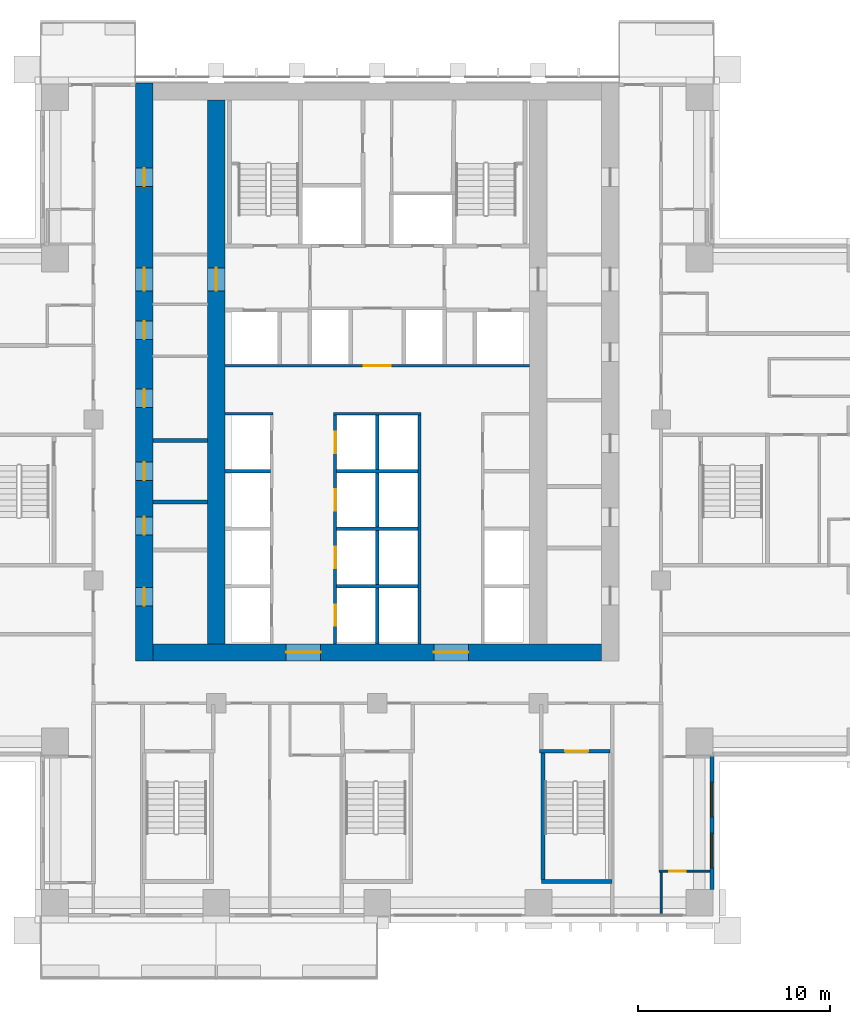
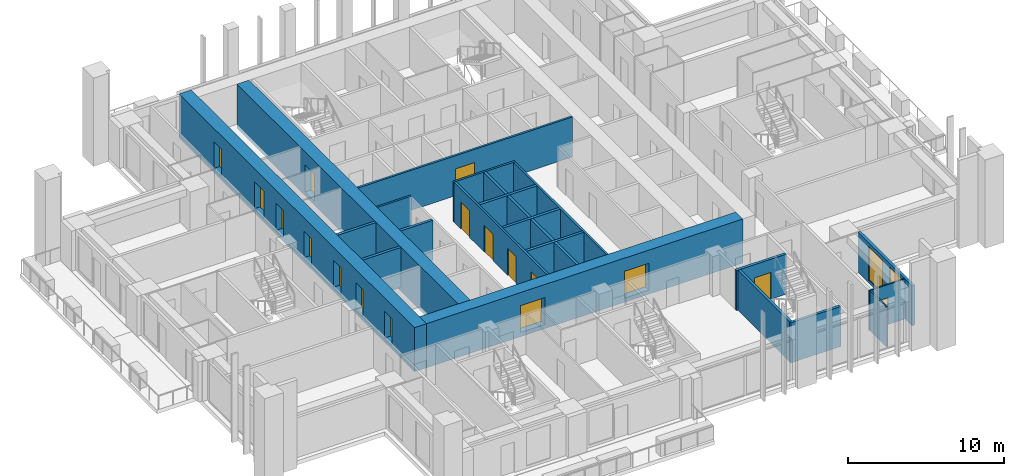
# One storey, part 8 of 18: 21 walls, 17 doors, 2 windows, 19 openings.
"""IFC4 building model written with IfcOpenShell, lengths in metres."""

from ifc_helpers import new_model, si_unit, direction, frame, frame_2d, origin, place, context, subcontext, project, spatial, rectangle, extrude, material, layer, layer_set, type_object, element, fill, save


model = new_model("IFC4")

# Units and contexts
model_context = context("Model", 3, precision=1e-05, world=origin(), true_north=direction((0.0, 1.0)))
body_context = subcontext(model_context, "Body", "Model", "MODEL_VIEW")
ifc_project = project(units=[si_unit("LENGTHUNIT", "METRE"), si_unit("AREAUNIT", "SQUARE_METRE"), si_unit("VOLUMEUNIT", "CUBIC_METRE"), si_unit("PLANEANGLEUNIT", "RADIAN"), si_unit("MASSUNIT", "GRAM", prefix="KILO")], contexts=[model_context])

# Site, building, storey
site_placement = place(None, origin())
site = spatial("IfcSite", under=ifc_project, at=site_placement, CompositionType="ELEMENT")
building_placement = place(site_placement, origin())
building = spatial("IfcBuilding", under=site, at=building_placement, Name="Vermilion Ogive Tower", CompositionType="ELEMENT")
storey_placement = place(building_placement, frame((0.0, 0.0, 55.199951171875)))
storey = spatial("IfcBuildingStorey", under=building, at=storey_placement, Name="L12", CompositionType="ELEMENT", Elevation=55.199951171875)

# Wall, openings, doors
ifc_material_1 = material(Name="Concrete B80", Category="concrete")
ifc_layer_1 = layer(ifc_material_1, 0.89990234375)
ifc_layer_set_1 = layer_set([ifc_layer_1], Name="Core wall 900 B80")
wall_type_1 = type_object("IfcWallType", Name="Core wall 900 B80", PredefinedType="SHEAR", material=ifc_layer_set_1)
wall_1_placement = place(storey_placement, frame((-12.14990234375, -8.39990234375, -0.320068359375), z_axis=(0.0, 0.0, 1.0), x_axis=(0.0, 1.0, 0.0)))
wall_1 = element("IfcWall", 1, at=wall_1_placement, inside=storey, type_object=wall_type_1, Name="L12-CORE-W", PredefinedType="SHEAR", context=body_context, shape_type="SweptSolid", body=[
    extrude(rectangle(XDim=30.14990234375, YDim=0.89990234375, at=frame_2d((15.074951171875, 0.0))), origin(), (0.0, 0.0, 1.0), 3.4501953125),
])
opening_1_placement = place(wall_1_placement, frame((2.875, 0.0, 0.320068359375)))
opening_1 = element("IfcOpeningElement", 2, at=opening_1_placement, cuts=wall_1, Name="Opening DAD017", PredefinedType="OPENING", context=body_context, shape_type="SweptSolid", body=[
    extrude(rectangle(XDim=0.949951171875, YDim=2.10009765625, at=frame_2d((0.47509765625, 1.050048828125))), frame((0.0, 0.4599609375, 0.0), z_axis=(0.0, -1.0, 0.0), x_axis=(1.0, 0.0, 0.0)), (0.0, 0.0, 1.0), 0.919921875),
])
opening_2_placement = place(wall_1_placement, frame((6.574951171875, 0.0, 0.320068359375)))
opening_2 = element("IfcOpeningElement", 3, at=opening_2_placement, cuts=wall_1, Name="Opening DAD018", PredefinedType="OPENING", context=body_context, shape_type="SweptSolid", body=[
    extrude(rectangle(XDim=0.949951171875, YDim=2.10009765625, at=frame_2d((0.47509765625, 1.050048828125))), frame((0.0, 0.4599609375, 0.0), z_axis=(0.0, -1.0, 0.0), x_axis=(1.0, 0.0, 0.0)), (0.0, 0.0, 1.0), 0.919921875),
])
opening_3_placement = place(wall_1_placement, frame((9.425048828125, 0.0, 0.320068359375)))
opening_3 = element("IfcOpeningElement", 4, at=opening_3_placement, cuts=wall_1, Name="Opening DAD019", PredefinedType="OPENING", context=body_context, shape_type="SweptSolid", body=[
    extrude(rectangle(XDim=0.949951171875, YDim=2.10009765625, at=frame_2d((0.47509765625, 1.050048828125))), frame((0.0, 0.4599609375, 0.0), z_axis=(0.0, -1.0, 0.0), x_axis=(1.0, 0.0, 0.0)), (0.0, 0.0, 1.0), 0.919921875),
])
opening_4_placement = place(wall_1_placement, frame((13.22509765625, 0.0, 0.320068359375)))
opening_4 = element("IfcOpeningElement", 5, at=opening_4_placement, cuts=wall_1, Name="Opening DAD020", PredefinedType="OPENING", context=body_context, shape_type="SweptSolid", body=[
    extrude(rectangle(XDim=0.949951171875, YDim=2.10009765625, at=frame_2d((0.47509765625, 1.050048828125))), frame((0.0, 0.4599609375, 0.0), z_axis=(0.0, -1.0, 0.0), x_axis=(1.0, 0.0, 0.0)), (0.0, 0.0, 1.0), 0.919921875),
])
opening_5_placement = place(wall_1_placement, frame((16.77490234375, 0.0, 0.320068359375)))
opening_5 = element("IfcOpeningElement", 6, at=opening_5_placement, cuts=wall_1, Name="Opening DAD021", PredefinedType="OPENING", context=body_context, shape_type="SweptSolid", body=[
    extrude(rectangle(XDim=0.949951171875, YDim=2.10009765625, at=frame_2d((0.47509765625, 1.050048828125))), frame((0.0, 0.4599609375, 0.0), z_axis=(0.0, -1.0, 0.0), x_axis=(1.0, 0.0, 0.0)), (0.0, 0.0, 1.0), 0.919921875),
])
opening_6_placement = place(wall_1_placement, frame((24.75, 0.0, 0.320068359375)))
opening_6 = element("IfcOpeningElement", 7, at=opening_6_placement, cuts=wall_1, Name="Opening DAD022", PredefinedType="OPENING", context=body_context, shape_type="SweptSolid", body=[
    extrude(rectangle(XDim=0.949951171875, YDim=2.10009765625, at=frame_2d((0.47509765625, 1.050048828125))), frame((0.0, 0.4599609375, 0.0), z_axis=(0.0, -1.0, 0.0), x_axis=(1.0, 0.0, 0.0)), (0.0, 0.0, 1.0), 0.919921875),
])
opening_7_placement = place(wall_1_placement, frame((19.300048828125, 0.0, 0.320068359375)))
opening_7 = element("IfcOpeningElement", 8, at=opening_7_placement, cuts=wall_1, Name="Opening DAM004", PredefinedType="OPENING", context=body_context, shape_type="SweptSolid", body=[
    extrude(rectangle(XDim=1.199951171875, YDim=2.10009765625, at=frame_2d((0.60009765625, 1.050048828125))), frame((0.0, 0.4599609375, 0.0), z_axis=(0.0, -1.0, 0.0), x_axis=(1.0, 0.0, 0.0)), (0.0, 0.0, 1.0), 0.919921875),
])
ifc_material_2 = material(Name="Timber door leaf", Category="wood")
door_type_1 = type_object("IfcDoorType", Name="Link door 1200 x 2100 FD60S", OperationType="SINGLE_SWING_LEFT", PredefinedType="DOOR", material=ifc_material_2)
door_1_placement = place(opening_7_placement, origin())
door_1 = element("IfcDoor", 9, at=door_1_placement, inside=storey, type_object=door_type_1, Name="L12-CKW-XL", OperationType="SINGLE_SWING_LEFT", OverallHeight=2.10009765625, OverallWidth=1.199951171875, PredefinedType="DOOR", context=body_context, shape_type="SweptSolid", body=[
    extrude(rectangle(XDim=1.199951171875, YDim=2.10009765625, at=frame_2d((0.60009765625, 1.050048828125))), frame((0.0, 0.02490234375, 0.0), z_axis=(0.0, -1.0, 0.0), x_axis=(1.0, 0.0, 0.0)), (0.0, 0.0, 1.0), 0.050048828125),
])
fill(opening_7, door_1)
ifc_material_3 = material(Name="Timber door leaf", Category="wood")
door_type_2 = type_object("IfcDoorType", Name="Service door 950 x 2100 FD60", OperationType="SINGLE_SWING_LEFT", PredefinedType="DOOR", material=ifc_material_3)
door_2_placement = place(opening_1_placement, origin())
door_2 = element("IfcDoor", 10, at=door_2_placement, inside=storey, type_object=door_type_2, Name="L12-CKW-XR0", OperationType="SINGLE_SWING_LEFT", OverallHeight=2.10009765625, OverallWidth=0.949951171875, PredefinedType="DOOR", context=body_context, shape_type="SweptSolid", body=[
    extrude(rectangle(XDim=0.949951171875, YDim=2.10009765625, at=frame_2d((0.47509765625, 1.050048828125))), frame((0.0, 0.02490234375, 0.0), z_axis=(0.0, -1.0, 0.0), x_axis=(1.0, 0.0, 0.0)), (0.0, 0.0, 1.0), 0.050048828125),
])
fill(opening_1, door_2)
door_3_placement = place(opening_2_placement, origin())
door_3 = element("IfcDoor", 11, at=door_3_placement, inside=storey, type_object=door_type_2, Name="L12-CKW-XR1", OperationType="SINGLE_SWING_LEFT", OverallHeight=2.10009765625, OverallWidth=0.949951171875, PredefinedType="DOOR", context=body_context, shape_type="SweptSolid", body=[
    extrude(rectangle(XDim=0.949951171875, YDim=2.10009765625, at=frame_2d((0.47509765625, 1.050048828125))), frame((0.0, 0.02490234375, 0.0), z_axis=(0.0, -1.0, 0.0), x_axis=(1.0, 0.0, 0.0)), (0.0, 0.0, 1.0), 0.050048828125),
])
fill(opening_2, door_3)
door_4_placement = place(opening_3_placement, origin())
door_4 = element("IfcDoor", 12, at=door_4_placement, inside=storey, type_object=door_type_2, Name="L12-CKW-XR2", OperationType="SINGLE_SWING_LEFT", OverallHeight=2.10009765625, OverallWidth=0.949951171875, PredefinedType="DOOR", context=body_context, shape_type="SweptSolid", body=[
    extrude(rectangle(XDim=0.949951171875, YDim=2.10009765625, at=frame_2d((0.47509765625, 1.050048828125))), frame((0.0, 0.02490234375, 0.0), z_axis=(0.0, -1.0, 0.0), x_axis=(1.0, 0.0, 0.0)), (0.0, 0.0, 1.0), 0.050048828125),
])
fill(opening_3, door_4)
door_5_placement = place(opening_4_placement, origin())
door_5 = element("IfcDoor", 13, at=door_5_placement, inside=storey, type_object=door_type_2, Name="L12-CKW-XR3", OperationType="SINGLE_SWING_LEFT", OverallHeight=2.10009765625, OverallWidth=0.949951171875, PredefinedType="DOOR", context=body_context, shape_type="SweptSolid", body=[
    extrude(rectangle(XDim=0.949951171875, YDim=2.10009765625, at=frame_2d((0.47509765625, 1.050048828125))), frame((0.0, 0.02490234375, 0.0), z_axis=(0.0, -1.0, 0.0), x_axis=(1.0, 0.0, 0.0)), (0.0, 0.0, 1.0), 0.050048828125),
])
fill(opening_4, door_5)
door_6_placement = place(opening_5_placement, origin())
door_6 = element("IfcDoor", 14, at=door_6_placement, inside=storey, type_object=door_type_2, Name="L12-CKW-XR4", OperationType="SINGLE_SWING_LEFT", OverallHeight=2.10009765625, OverallWidth=0.949951171875, PredefinedType="DOOR", context=body_context, shape_type="SweptSolid", body=[
    extrude(rectangle(XDim=0.949951171875, YDim=2.10009765625, at=frame_2d((0.47509765625, 1.050048828125))), frame((0.0, 0.02490234375, 0.0), z_axis=(0.0, -1.0, 0.0), x_axis=(1.0, 0.0, 0.0)), (0.0, 0.0, 1.0), 0.050048828125),
])
fill(opening_5, door_6)
door_7_placement = place(opening_6_placement, origin())
door_7 = element("IfcDoor", 15, at=door_7_placement, inside=storey, type_object=door_type_2, Name="L12-CKW-XR5", OperationType="SINGLE_SWING_LEFT", OverallHeight=2.10009765625, OverallWidth=0.949951171875, PredefinedType="DOOR", context=body_context, shape_type="SweptSolid", body=[
    extrude(rectangle(XDim=0.949951171875, YDim=2.10009765625, at=frame_2d((0.47509765625, 1.050048828125))), frame((0.0, 0.02490234375, 0.0), z_axis=(0.0, -1.0, 0.0), x_axis=(1.0, 0.0, 0.0)), (0.0, 0.0, 1.0), 0.050048828125),
])
fill(opening_6, door_7)

wall_2_placement = place(storey_placement, frame((-11.699951171875, -7.949951171875, -0.320068359375), z_axis=(0.0, 0.0, 1.0), x_axis=(1.0, 0.0, 0.0)))
wall_2 = element("IfcWall", 16, at=wall_2_placement, inside=storey, type_object=wall_type_1, Name="L12-CORE-S", PredefinedType="SHEAR", context=body_context, shape_type="SweptSolid", body=[
    extrude(rectangle(XDim=23.39990234375, YDim=0.89990234375, at=frame_2d((11.699951171875, 0.0))), origin(), (0.0, 0.0, 1.0), 3.4501953125),
])
opening_8_placement = place(wall_2_placement, frame((6.949951171875, 0.0, 0.320068359375)))
opening_8 = element("IfcOpeningElement", 17, at=opening_8_placement, cuts=wall_2, Name="Opening DAH007", PredefinedType="OPENING", context=body_context, shape_type="SweptSolid", body=[
    extrude(rectangle(XDim=1.800048828125, YDim=2.10009765625, at=frame_2d((0.89990234375, 1.050048828125))), frame((0.0, 0.4599609375, 0.0), z_axis=(0.0, -1.0, 0.0), x_axis=(1.0, 0.0, 0.0)), (0.0, 0.0, 1.0), 0.919921875),
])
opening_9_placement = place(wall_2_placement, frame((14.64990234375, 0.0, 0.320068359375)))
opening_9 = element("IfcOpeningElement", 18, at=opening_9_placement, cuts=wall_2, Name="Opening DAH008", PredefinedType="OPENING", context=body_context, shape_type="SweptSolid", body=[
    extrude(rectangle(XDim=1.800048828125, YDim=2.10009765625, at=frame_2d((0.89990234375, 1.050048828125))), frame((0.0, 0.4599609375, 0.0), z_axis=(0.0, -1.0, 0.0), x_axis=(1.0, 0.0, 0.0)), (0.0, 0.0, 1.0), 0.919921875),
])
ifc_material_4 = material(Name="Timber door leaf", Category="wood")
door_type_3 = type_object("IfcDoorType", Name="Core entry door 1800 x 2100 FD60S", OperationType="DOUBLE_DOOR_SINGLE_SWING", PredefinedType="DOOR", material=ifc_material_4)
door_8_placement = place(opening_8_placement, origin())
door_8 = element("IfcDoor", 19, at=door_8_placement, inside=storey, type_object=door_type_3, Name="L12-CK-XD1", OperationType="SINGLE_SWING_LEFT", OverallHeight=2.10009765625, OverallWidth=1.800048828125, PredefinedType="DOOR", context=body_context, shape_type="SweptSolid", body=[
    extrude(rectangle(XDim=1.800048828125, YDim=2.10009765625, at=frame_2d((0.89990234375, 1.050048828125))), frame((0.0, 0.02490234375, 0.0), z_axis=(0.0, -1.0, 0.0), x_axis=(1.0, 0.0, 0.0)), (0.0, 0.0, 1.0), 0.050048828125),
])
fill(opening_8, door_8)
door_9_placement = place(opening_9_placement, origin())
door_9 = element("IfcDoor", 20, at=door_9_placement, inside=storey, type_object=door_type_3, Name="L12-CK-XD2", OperationType="SINGLE_SWING_LEFT", OverallHeight=2.10009765625, OverallWidth=1.800048828125, PredefinedType="DOOR", context=body_context, shape_type="SweptSolid", body=[
    extrude(rectangle(XDim=1.800048828125, YDim=2.10009765625, at=frame_2d((0.89990234375, 1.050048828125))), frame((0.0, 0.02490234375, 0.0), z_axis=(0.0, -1.0, 0.0), x_axis=(1.0, 0.0, 0.0)), (0.0, 0.0, 1.0), 0.050048828125),
])
fill(opening_9, door_9)

# Wall, opening, door
wall_3_placement = place(storey_placement, frame((-8.39990234375, -7.5, -0.320068359375), z_axis=(0.0, 0.0, 1.0), x_axis=(0.0, 1.0, 0.0)))
wall_3 = element("IfcWall", 21, at=wall_3_placement, inside=storey, type_object=wall_type_1, Name="L12-CORE-WEB1", PredefinedType="SHEAR", context=body_context, shape_type="SweptSolid", body=[
    extrude(rectangle(XDim=28.35009765625, YDim=0.89990234375, at=frame_2d((14.175048828125, 0.0))), origin(), (0.0, 0.0, 1.0), 3.4501953125),
])
opening_10_placement = place(wall_3_placement, frame((18.39990234375, 0.0, 0.320068359375)))
opening_10 = element("IfcOpeningElement", 22, at=opening_10_placement, cuts=wall_3, Name="Opening DAP004", PredefinedType="OPENING", context=body_context, shape_type="SweptSolid", body=[
    extrude(rectangle(XDim=1.199951171875, YDim=2.10009765625, at=frame_2d((0.60009765625, 1.050048828125))), frame((0.0, 0.4599609375, 0.0), z_axis=(0.0, -1.0, 0.0), x_axis=(1.0, 0.0, 0.0)), (0.0, 0.0, 1.0), 0.919921875),
])
door_10_placement = place(opening_10_placement, origin())
door_10 = element("IfcDoor", 23, at=door_10_placement, inside=storey, type_object=door_type_1, Name="L12-CKW-XW", OperationType="SINGLE_SWING_LEFT", OverallHeight=2.10009765625, OverallWidth=1.199951171875, PredefinedType="DOOR", context=body_context, shape_type="SweptSolid", body=[
    extrude(rectangle(XDim=1.199951171875, YDim=2.10009765625, at=frame_2d((0.60009765625, 1.050048828125))), frame((0.0, 0.02490234375, 0.0), z_axis=(0.0, -1.0, 0.0), x_axis=(1.0, 0.0, 0.0)), (0.0, 0.0, 1.0), 0.050048828125),
])
fill(opening_10, door_10)

ifc_material_5 = material(Name="Gypsum board partition on steel studs", Category="steel")
ifc_layer_2 = layer(ifc_material_5, 0.10009765625)
ifc_layer_set_2 = layer_set([ifc_layer_2], Name="Partition 100 bath")
wall_type_2 = type_object("IfcWallType", Name="Partition 100 bath", PredefinedType="PARTITIONING", material=ifc_layer_set_2)
wall_4_placement = place(storey_placement, frame((14.699951171875, -19.35009765625, 0.0), z_axis=(0.0, 0.0, 1.0), x_axis=(1.0, 0.0, 0.0)))
wall_4 = element("IfcWall", 24, at=wall_4_placement, inside=storey, type_object=wall_type_2, Name="L12-W-W005", PredefinedType="PARTITIONING", context=body_context, shape_type="SweptSolid", body=[
    extrude(rectangle(XDim=2.650146484375, YDim=0.10009765625, at=frame_2d((1.3251953125, 0.0))), origin(), (0.0, 0.0, 1.0), 3.130126953125),
])
opening_11_placement = place(wall_4_placement, frame((0.525146484375, 0.0, 0.0)))
opening_11 = element("IfcOpeningElement", 25, at=opening_11_placement, cuts=wall_4, Name="Opening D1G4018", PredefinedType="OPENING", context=body_context, shape_type="SweptSolid", body=[
    extrude(rectangle(XDim=0.85009765625, YDim=2.10009765625, at=frame_2d((0.425048828125, 1.050048828125))), frame((0.0, 0.06005859375, 0.0), z_axis=(0.0, -1.0, 0.0), x_axis=(1.0, 0.0, 0.0)), (0.0, 0.0, 1.0), 0.1201171875),
])
ifc_material_6 = material(Name="Timber door leaf", Category="wood")
door_type_4 = type_object("IfcDoorType", Name="Bath door 850 x 2100 FD30", OperationType="SINGLE_SWING_LEFT", PredefinedType="DOOR", material=ifc_material_6)
door_11_placement = place(opening_11_placement, origin())
door_11 = element("IfcDoor", 26, at=door_11_placement, inside=storey, type_object=door_type_4, Name="L12-D-D018", OperationType="SINGLE_SWING_LEFT", OverallHeight=2.10009765625, OverallWidth=0.85009765625, PredefinedType="DOOR", context=body_context, shape_type="SweptSolid", body=[
    extrude(rectangle(XDim=0.85009765625, YDim=2.10009765625, at=frame_2d((0.425048828125, 1.050048828125))), frame((0.0, 0.02490234375, 0.0), z_axis=(0.0, -1.0, 0.0), x_axis=(1.0, 0.0, 0.0)), (0.0, 0.0, 1.0), 0.050048828125),
])
fill(opening_11, door_11)

# Walls
wall_5_placement = place(storey_placement, frame((14.800048828125, -21.550048828125, 0.0), z_axis=(0.0, 0.0, 1.0), x_axis=(0.0, 1.0, 0.0)))
element("IfcWall", 27, at=wall_5_placement, inside=storey, type_object=wall_type_2, Name="L12-W-W069", PredefinedType="PARTITIONING", context=body_context, shape_type="SweptSolid", body=[
    extrude(rectangle(XDim=2.150146484375, YDim=0.10009765625, at=frame_2d((1.0751953125, 0.0))), origin(), (0.0, 0.0, 1.0), 3.130126953125),
])
ifc_material_7 = material(Name="Gypsum board partition on steel studs", Category="steel")
ifc_layer_3 = layer(ifc_material_7, 0.14990234375)
ifc_layer_set_3 = layer_set([ifc_layer_3], Name="Partition 150 corridor")
wall_type_3 = type_object("IfcWallType", Name="Partition 150 corridor", PredefinedType="PARTITIONING", material=ifc_layer_set_3)
wall_6_placement = place(storey_placement, frame((-7.948974609375, 4.5, 0.0), z_axis=(0.0, 0.0, 1.0), x_axis=(1.0, 0.0, 0.0)))
element("IfcWall", 28, at=wall_6_placement, inside=storey, type_object=wall_type_3, Name="L12-CK-W-W010", PredefinedType="PARTITIONING", context=body_context, shape_type="SweptSolid", body=[
    extrude(rectangle(XDim=2.52392578125, YDim=0.14990234375, at=frame_2d((1.261962890625, 0.0))), origin(), (0.0, 0.0, 1.0), 3.130126953125),
])
wall_7_placement = place(storey_placement, frame((-2.27490234375, 4.5, 0.0), z_axis=(0.0, 0.0, 1.0), x_axis=(1.0, 0.0, 0.0)))
element("IfcWall", 29, at=wall_7_placement, inside=storey, type_object=wall_type_3, Name="L12-CK-W-W011", PredefinedType="PARTITIONING", context=body_context, shape_type="SweptSolid", body=[
    extrude(rectangle(XDim=4.5498046875, YDim=0.14990234375, at=frame_2d((2.27490234375, 0.0))), origin(), (0.0, 0.0, 1.0), 3.130126953125),
])

# Wall, opening, door
wall_8_placement = place(storey_placement, frame((-7.948974609375, 7.0, 0.0), z_axis=(0.0, 0.0, 1.0), x_axis=(1.0, 0.0, 0.0)))
wall_8 = element("IfcWall", 30, at=wall_8_placement, inside=storey, type_object=wall_type_3, Name="L12-CK-W-W013", PredefinedType="PARTITIONING", context=body_context, shape_type="SweptSolid", body=[
    extrude(rectangle(XDim=15.89794921875, YDim=0.14990234375, at=frame_2d((7.948974609375, 0.0))), origin(), (0.0, 0.0, 1.0), 3.130126953125),
])
opening_12_placement = place(wall_8_placement, frame((7.2490234375, 0.0, 0.0)))
opening_12 = element("IfcOpeningElement", 31, at=opening_12_placement, cuts=wall_8, Name="Opening DAA070", PredefinedType="OPENING", context=body_context, shape_type="SweptSolid", body=[
    extrude(rectangle(XDim=1.39990234375, YDim=2.10009765625, at=frame_2d((0.699951171875, 1.050048828125))), frame((0.0, 0.0849609375, 0.0), z_axis=(0.0, -1.0, 0.0), x_axis=(1.0, 0.0, 0.0)), (0.0, 0.0, 1.0), 0.169921875),
])
ifc_material_8 = material(Name="Timber door leaf", Category="wood")
door_type_5 = type_object("IfcDoorType", Name="Lobby door 1400 x 2100 FD60S", OperationType="SINGLE_SWING_LEFT", PredefinedType="DOOR", material=ifc_material_8)
door_12_placement = place(opening_12_placement, origin())
door_12 = element("IfcDoor", 32, at=door_12_placement, inside=storey, type_object=door_type_5, Name="L12-CK-D-D015", OperationType="SINGLE_SWING_RIGHT", OverallHeight=2.10009765625, OverallWidth=1.39990234375, PredefinedType="DOOR", context=body_context, shape_type="SweptSolid", body=[
    extrude(rectangle(XDim=1.39990234375, YDim=2.10009765625, at=frame_2d((0.699951171875, 1.050048828125))), frame((0.0, 0.02490234375, 0.0), z_axis=(0.0, -1.0, 0.0), x_axis=(1.0, 0.0, 0.0)), (0.0, 0.0, 1.0), 0.050048828125),
])
fill(opening_12, door_12)

# Wall, openings, doors
wall_9_placement = place(storey_placement, frame((-2.199951171875, -7.4990234375, 0.0), z_axis=(0.0, 0.0, 1.0), x_axis=(0.0, 1.0, 0.0)))
wall_9 = element("IfcWall", 33, at=wall_9_placement, inside=storey, type_object=wall_type_3, Name="L12-CK-W-W027", PredefinedType="PARTITIONING", context=body_context, shape_type="SweptSolid", body=[
    extrude(rectangle(XDim=11.924072265625, YDim=0.14990234375, at=frame_2d((5.9619140625, 0.0))), origin(), (0.0, 0.0, 1.0), 3.130126953125),
])
opening_13_placement = place(wall_9_placement, frame((0.948974609375, 0.0, 0.0)))
opening_13 = element("IfcOpeningElement", 34, at=opening_13_placement, cuts=wall_9, Name="Opening DAA085", PredefinedType="OPENING", context=body_context, shape_type="SweptSolid", body=[
    extrude(rectangle(XDim=1.10009765625, YDim=2.10009765625, at=frame_2d((0.550048828125, 1.050048828125))), frame((0.0, 0.0849609375, 0.0), z_axis=(0.0, -1.0, 0.0), x_axis=(1.0, 0.0, 0.0)), (0.0, 0.0, 1.0), 0.169921875),
])
opening_14_placement = place(wall_9_placement, frame((3.948974609375, 0.0, 0.0)))
opening_14 = element("IfcOpeningElement", 35, at=opening_14_placement, cuts=wall_9, Name="Opening DAA086", PredefinedType="OPENING", context=body_context, shape_type="SweptSolid", body=[
    extrude(rectangle(XDim=1.10009765625, YDim=2.10009765625, at=frame_2d((0.550048828125, 1.050048828125))), frame((0.0, 0.0849609375, 0.0), z_axis=(0.0, -1.0, 0.0), x_axis=(1.0, 0.0, 0.0)), (0.0, 0.0, 1.0), 0.169921875),
])
opening_15_placement = place(wall_9_placement, frame((6.948974609375, 0.0, 0.0)))
opening_15 = element("IfcOpeningElement", 36, at=opening_15_placement, cuts=wall_9, Name="Opening DAA087", PredefinedType="OPENING", context=body_context, shape_type="SweptSolid", body=[
    extrude(rectangle(XDim=1.10009765625, YDim=2.10009765625, at=frame_2d((0.550048828125, 1.050048828125))), frame((0.0, 0.0849609375, 0.0), z_axis=(0.0, -1.0, 0.0), x_axis=(1.0, 0.0, 0.0)), (0.0, 0.0, 1.0), 0.169921875),
])
opening_16_placement = place(wall_9_placement, frame((9.948974609375, 0.0, 0.0)))
opening_16 = element("IfcOpeningElement", 37, at=opening_16_placement, cuts=wall_9, Name="Opening DAA088", PredefinedType="OPENING", context=body_context, shape_type="SweptSolid", body=[
    extrude(rectangle(XDim=1.10009765625, YDim=2.10009765625, at=frame_2d((0.550048828125, 1.050048828125))), frame((0.0, 0.0849609375, 0.0), z_axis=(0.0, -1.0, 0.0), x_axis=(1.0, 0.0, 0.0)), (0.0, 0.0, 1.0), 0.169921875),
])
ifc_material_9 = material(Name="Stainless steel", Category="steel")
door_type_6 = type_object("IfcDoorType", Name="Lift landing door 1100 x 2100", OperationType="SLIDING_TO_LEFT", PredefinedType="DOOR", material=ifc_material_9)
door_13_placement = place(opening_13_placement, origin())
door_13 = element("IfcDoor", 38, at=door_13_placement, inside=storey, type_object=door_type_6, Name="L12-CK-D-D005", OperationType="SLIDING_TO_RIGHT", OverallHeight=2.10009765625, OverallWidth=1.10009765625, PredefinedType="DOOR", context=body_context, shape_type="SweptSolid", body=[
    extrude(rectangle(XDim=1.10009765625, YDim=2.10009765625, at=frame_2d((0.550048828125, 1.050048828125))), frame((0.0, 0.02490234375, 0.0), z_axis=(0.0, -1.0, 0.0), x_axis=(1.0, 0.0, 0.0)), (0.0, 0.0, 1.0), 0.050048828125),
])
fill(opening_13, door_13)
door_14_placement = place(opening_14_placement, origin())
door_14 = element("IfcDoor", 39, at=door_14_placement, inside=storey, type_object=door_type_6, Name="L12-CK-D-D006", OperationType="SLIDING_TO_RIGHT", OverallHeight=2.10009765625, OverallWidth=1.10009765625, PredefinedType="DOOR", context=body_context, shape_type="SweptSolid", body=[
    extrude(rectangle(XDim=1.10009765625, YDim=2.10009765625, at=frame_2d((0.550048828125, 1.050048828125))), frame((0.0, 0.02490234375, 0.0), z_axis=(0.0, -1.0, 0.0), x_axis=(1.0, 0.0, 0.0)), (0.0, 0.0, 1.0), 0.050048828125),
])
fill(opening_14, door_14)
door_15_placement = place(opening_15_placement, origin())
door_15 = element("IfcDoor", 40, at=door_15_placement, inside=storey, type_object=door_type_6, Name="L12-CK-D-D007", OperationType="SLIDING_TO_RIGHT", OverallHeight=2.10009765625, OverallWidth=1.10009765625, PredefinedType="DOOR", context=body_context, shape_type="SweptSolid", body=[
    extrude(rectangle(XDim=1.10009765625, YDim=2.10009765625, at=frame_2d((0.550048828125, 1.050048828125))), frame((0.0, 0.02490234375, 0.0), z_axis=(0.0, -1.0, 0.0), x_axis=(1.0, 0.0, 0.0)), (0.0, 0.0, 1.0), 0.050048828125),
])
fill(opening_15, door_15)
door_16_placement = place(opening_16_placement, origin())
door_16 = element("IfcDoor", 41, at=door_16_placement, inside=storey, type_object=door_type_6, Name="L12-CK-D-D008", OperationType="SLIDING_TO_RIGHT", OverallHeight=2.10009765625, OverallWidth=1.10009765625, PredefinedType="DOOR", context=body_context, shape_type="SweptSolid", body=[
    extrude(rectangle(XDim=1.10009765625, YDim=2.10009765625, at=frame_2d((0.550048828125, 1.050048828125))), frame((0.0, 0.02490234375, 0.0), z_axis=(0.0, -1.0, 0.0), x_axis=(1.0, 0.0, 0.0)), (0.0, 0.0, 1.0), 0.050048828125),
])
fill(opening_16, door_16)

# Walls
wall_10_placement = place(storey_placement, frame((2.199951171875, -7.4990234375, 0.0), z_axis=(0.0, 0.0, 1.0), x_axis=(0.0, 1.0, 0.0)))
element("IfcWall", 42, at=wall_10_placement, inside=storey, type_object=wall_type_3, Name="L12-CK-W-W034", PredefinedType="PARTITIONING", context=body_context, shape_type="SweptSolid", body=[
    extrude(rectangle(XDim=11.924072265625, YDim=0.14990234375, at=frame_2d((5.9619140625, 0.0))), origin(), (0.0, 0.0, 1.0), 3.130126953125),
])
ifc_material_10 = material(Name="Gypsum board partition on steel studs", Category="steel")
ifc_layer_4 = layer(ifc_material_10, 0.199951171875)
ifc_layer_set_4 = layer_set([ifc_layer_4], Name="Partition 200 party")
wall_type_4 = type_object("IfcWallType", Name="Partition 200 party", PredefinedType="PARTITIONING", material=ifc_layer_set_4)
for number, where, z_axis, x_axis, name in (
    (43, (-2.125, -4.5, 0.0), (0.0, 0.0, 1.0), (1.0, 0.0, 0.0), "L12-CK-W-W002"),
    (44, (-2.125, -1.5, 0.0), (0.0, 0.0, 1.0), (1.0, 0.0, 0.0), "L12-CK-W-W005"),
):
    element("IfcWall", number, at=place(storey_placement, frame(where, z_axis=z_axis, x_axis=x_axis)), inside=storey, type_object=wall_type_4, Name=name, PredefinedType="PARTITIONING", context=body_context, shape_type="SweptSolid", body=[
        extrude(rectangle(XDim=4.25, YDim=0.199951171875, at=frame_2d((2.125, 0.0))), origin(), (0.0, 0.0, 1.0), 3.130126953125),
    ])
wall_11_placement = place(storey_placement, frame((-7.948974609375, 1.5, 0.0), z_axis=(0.0, 0.0, 1.0), x_axis=(1.0, 0.0, 0.0)))
element("IfcWall", 45, at=wall_11_placement, inside=storey, type_object=wall_type_4, Name="L12-CK-W-W007", PredefinedType="PARTITIONING", context=body_context, shape_type="SweptSolid", body=[
    extrude(rectangle(XDim=2.3740234375, YDim=0.199951171875, at=frame_2d((1.18701171875, 0.0))), origin(), (0.0, 0.0, 1.0), 3.130126953125),
])
wall_12_placement = place(storey_placement, frame((-2.125, 1.5, 0.0), z_axis=(0.0, 0.0, 1.0), x_axis=(1.0, 0.0, 0.0)))
element("IfcWall", 46, at=wall_12_placement, inside=storey, type_object=wall_type_4, Name="L12-CK-W-W008", PredefinedType="PARTITIONING", context=body_context, shape_type="SweptSolid", body=[
    extrude(rectangle(XDim=4.25, YDim=0.199951171875, at=frame_2d((2.125, 0.0))), origin(), (0.0, 0.0, 1.0), 3.130126953125),
])
wall_13_placement = place(storey_placement, frame((0.0, -7.4990234375, 0.0), z_axis=(0.0, 0.0, 1.0), x_axis=(0.0, 1.0, 0.0)))
element("IfcWall", 47, at=wall_13_placement, inside=storey, type_object=wall_type_4, Name="L12-CK-W-W030", PredefinedType="PARTITIONING", context=body_context, shape_type="SweptSolid", body=[
    extrude(rectangle(XDim=11.924072265625, YDim=0.199951171875, at=frame_2d((5.9619140625, 0.0))), origin(), (0.0, 0.0, 1.0), 3.130126953125),
])
for number, where, z_axis, x_axis, name in (
    (48, (-11.698974609375, -0.10009765625, 0.0), (0.0, 0.0, 1.0), (1.0, 0.0, 0.0), "L12-CKW-W-W002"),
    (49, (-11.698974609375, 3.10009765625, 0.0), (0.0, 0.0, 1.0), (1.0, 0.0, 0.0), "L12-CKW-W-W003"),
):
    element("IfcWall", number, at=place(storey_placement, frame(where, z_axis=z_axis, x_axis=x_axis)), inside=storey, type_object=wall_type_4, Name=name, PredefinedType="PARTITIONING", context=body_context, shape_type="SweptSolid", body=[
        extrude(rectangle(XDim=2.847900390625, YDim=0.199951171875, at=frame_2d((1.423828125, 0.0))), origin(), (0.0, 0.0, 1.0), 3.130126953125),
    ])
ifc_material_11 = material(Name="Concrete B60", Category="concrete")
ifc_layer_5 = layer(ifc_material_11, 0.199951171875)
ifc_layer_set_5 = layer_set([ifc_layer_5], Name="Stair shaft wall 200 Concrete B60")
wall_type_5 = type_object("IfcWallType", Name="Stair shaft wall 200 Concrete B60", PredefinedType="SOLIDWALL", material=ifc_layer_set_5)
wall_14_placement = place(storey_placement, frame((8.552001953125, -19.89990234375, 0.0), z_axis=(0.0, 0.0, 1.0), x_axis=(1.0, 0.0, 0.0)))
element("IfcWall", 50, at=wall_14_placement, inside=storey, type_object=wall_type_5, Name="L12-W-W004", PredefinedType="SOLIDWALL", context=body_context, shape_type="SweptSolid", body=[
    extrude(rectangle(XDim=3.696044921875, YDim=0.199951171875, at=frame_2d((1.84814453125, 0.0))), origin(), (0.0, 0.0, 1.0), 3.130126953125),
])

# Wall, opening, door
wall_15_placement = place(storey_placement, frame((8.451904296875, -13.10009765625, 0.0), z_axis=(0.0, 0.0, 1.0), x_axis=(1.0, 0.0, 0.0)))
wall_15 = element("IfcWall", 51, at=wall_15_placement, inside=storey, type_object=wall_type_5, Name="L12-W-W011", PredefinedType="SOLIDWALL", context=body_context, shape_type="SweptSolid", body=[
    extrude(rectangle(XDim=3.696044921875, YDim=0.199951171875, at=frame_2d((1.84814453125, 0.0))), origin(), (0.0, 0.0, 1.0), 3.130126953125),
])
opening_17_placement = place(wall_15_placement, frame((1.34814453125, 0.0, 0.0)))
opening_17 = element("IfcOpeningElement", 52, at=opening_17_placement, cuts=wall_15, Name="Opening D1G4033", PredefinedType="OPENING", context=body_context, shape_type="SweptSolid", body=[
    extrude(rectangle(XDim=1.199951171875, YDim=2.10009765625, at=frame_2d((0.60009765625, 1.050048828125))), frame((0.0, 0.10986328125, 0.0), z_axis=(0.0, -1.0, 0.0), x_axis=(1.0, 0.0, 0.0)), (0.0, 0.0, 1.0), 0.219970703125),
])
ifc_material_12 = material(Name="Timber door leaf", Category="wood")
door_type_7 = type_object("IfcDoorType", Name="Stair door 1200 x 2100 FD60S", OperationType="SINGLE_SWING_LEFT", PredefinedType="DOOR", material=ifc_material_12)
door_17_placement = place(opening_17_placement, origin())
door_17 = element("IfcDoor", 53, at=door_17_placement, inside=storey, type_object=door_type_7, Name="L12-D-D033", OperationType="SINGLE_SWING_RIGHT", OverallHeight=2.10009765625, OverallWidth=1.199951171875, PredefinedType="DOOR", context=body_context, shape_type="SweptSolid", body=[
    extrude(rectangle(XDim=1.199951171875, YDim=2.10009765625, at=frame_2d((0.60009765625, 1.050048828125))), frame((0.0, 0.02490234375, 0.0), z_axis=(0.0, -1.0, 0.0), x_axis=(1.0, 0.0, 0.0)), (0.0, 0.0, 1.0), 0.050048828125),
])
fill(opening_17, door_17)

# Wall
wall_16_placement = place(storey_placement, frame((8.64990234375, -19.798095703125, 0.0), z_axis=(0.0, 0.0, 1.0), x_axis=(0.0, 1.0, 0.0)))
element("IfcWall", 54, at=wall_16_placement, inside=storey, type_object=wall_type_5, Name="L12-W-W066", PredefinedType="SOLIDWALL", context=body_context, shape_type="SweptSolid", body=[
    extrude(rectangle(XDim=6.59619140625, YDim=0.199951171875, at=frame_2d((3.298095703125, 0.0))), origin(), (0.0, 0.0, 1.0), 3.130126953125),
])

# Wall, openings, windows
ifc_material_13 = material(Name="Aluminium window wall framing", Category="aluminium")
ifc_layer_6 = layer(ifc_material_13, 0.199951171875)
ifc_layer_set_6 = layer_set([ifc_layer_6], Name="Window wall")
wall_type_6 = type_object("IfcWallType", Name="Window wall", PredefinedType="STANDARD", material=ifc_layer_set_6)
wall_17_placement = place(storey_placement, frame((17.449951171875, -20.300048828125, 0.0), z_axis=(0.0, 0.0, 1.0), x_axis=(0.0, 1.0, 0.0)))
wall_17 = element("IfcWall", 55, at=wall_17_placement, inside=storey, type_object=wall_type_6, Name="Window wall X11", PredefinedType="STANDARD", context=body_context, shape_type="SweptSolid", body=[
    extrude(rectangle(XDim=6.949951171875, YDim=0.199951171875, at=frame_2d((3.47509765625, 0.0))), origin(), (0.0, 0.0, 1.0), 3.130126953125),
])
opening_18_placement = place(wall_17_placement, frame((1.1201171875, 0.0, 0.199951171875)))
opening_18 = element("IfcOpeningElement", 56, at=opening_18_placement, cuts=wall_17, Name="Opening W1-X195", PredefinedType="OPENING", context=body_context, shape_type="SweptSolid", body=[
    extrude(rectangle(XDim=1.800048828125, YDim=2.64990234375, at=frame_2d((0.89990234375, 1.324951171875))), frame((0.0, 0.10986328125, 0.0), z_axis=(0.0, -1.0, 0.0), x_axis=(1.0, 0.0, 0.0)), (0.0, 0.0, 1.0), 0.219970703125),
])
opening_19_placement = place(wall_17_placement, frame((3.77490234375, 0.0, 0.199951171875)))
opening_19 = element("IfcOpeningElement", 57, at=opening_19_placement, cuts=wall_17, Name="Opening W1-X196", PredefinedType="OPENING", context=body_context, shape_type="SweptSolid", body=[
    extrude(rectangle(XDim=1.800048828125, YDim=2.64990234375, at=frame_2d((0.89990234375, 1.324951171875))), frame((0.0, 0.10986328125, 0.0), z_axis=(0.0, -1.0, 0.0), x_axis=(1.0, 0.0, 0.0)), (0.0, 0.0, 1.0), 0.219970703125),
])
ifc_material_14 = material(Name="Aluminium framed double glazing", Category="aluminium")
window_type = type_object("IfcWindowType", Name="Guest window W1", PartitioningType="SINGLE_PANEL", PredefinedType="WINDOW", material=ifc_material_14)
window_1_placement = place(opening_18_placement, origin())
window_1 = element("IfcWindow", 58, at=window_1_placement, inside=storey, type_object=window_type, Name="Window X195", OverallHeight=2.64990234375, OverallWidth=1.800048828125, PartitioningType="SINGLE_PANEL", PredefinedType="WINDOW", context=body_context, shape_type="SweptSolid", body=[
    extrude(rectangle(XDim=1.800048828125, YDim=2.64990234375, at=frame_2d((0.89990234375, 1.324951171875))), frame((0.0, 0.030029296875, 0.0), z_axis=(0.0, -1.0, 0.0), x_axis=(1.0, 0.0, 0.0)), (0.0, 0.0, 1.0), 0.06005859375),
])
fill(opening_18, window_1)
window_2_placement = place(opening_19_placement, origin())
window_2 = element("IfcWindow", 59, at=window_2_placement, inside=storey, type_object=window_type, Name="Window X196", OverallHeight=2.64990234375, OverallWidth=1.800048828125, PartitioningType="SINGLE_PANEL", PredefinedType="WINDOW", context=body_context, shape_type="SweptSolid", body=[
    extrude(rectangle(XDim=1.800048828125, YDim=2.64990234375, at=frame_2d((0.89990234375, 1.324951171875))), frame((0.0, 0.030029296875, 0.0), z_axis=(0.0, -1.0, 0.0), x_axis=(1.0, 0.0, 0.0)), (0.0, 0.0, 1.0), 0.06005859375),
])
fill(opening_19, window_2)

save(model, "model.ifc")
